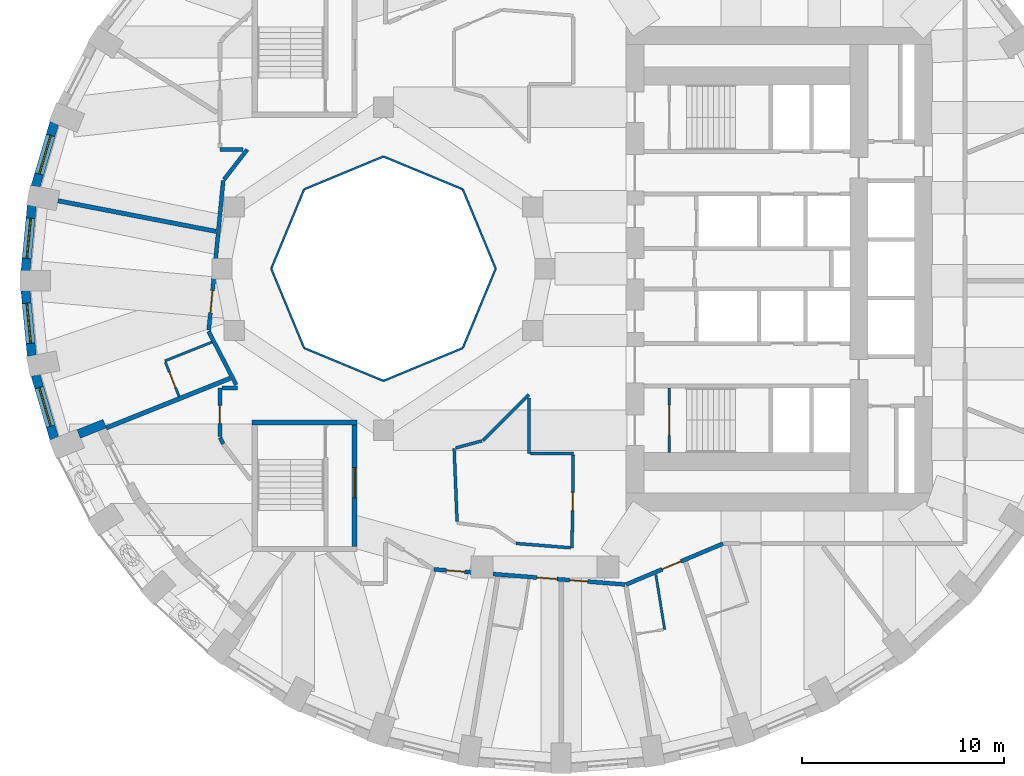
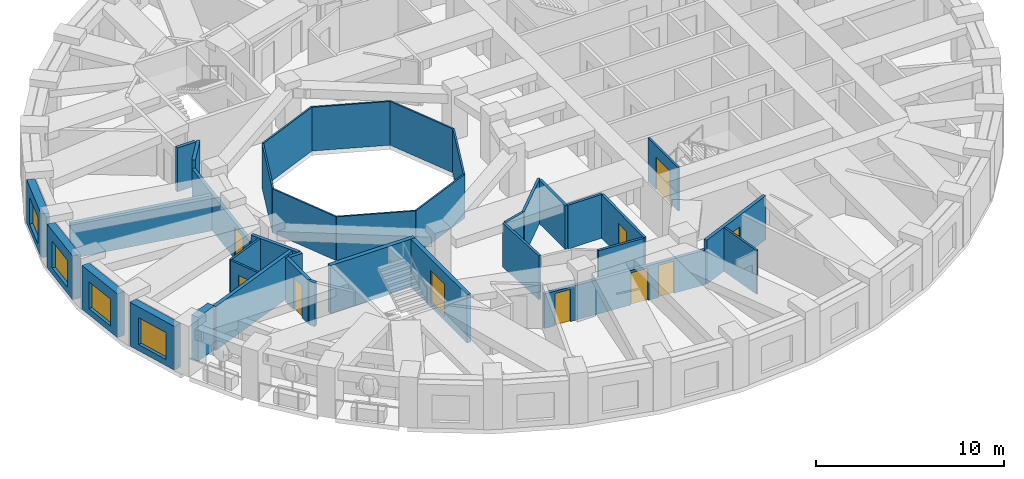
# One storey, part 4 of 12: 37 walls, 10 doors, 4 windows, 14 openings.
"""IFC4 building model written with IfcOpenShell, lengths in metres."""

from ifc_helpers import new_model, si_unit, direction, frame, frame_2d, origin, place, context, subcontext, project, spatial, rectangle, extrude, material, layer, layer_set, type_object, element, fill, save


model = new_model("IFC4")

# Units and contexts
model_context = context("Model", 3, precision=1e-05, world=origin(), true_north=direction((0.0, 1.0)))
body_context = subcontext(model_context, "Body", "Model", "MODEL_VIEW")
ifc_project = project(units=[si_unit("LENGTHUNIT", "METRE"), si_unit("AREAUNIT", "SQUARE_METRE"), si_unit("VOLUMEUNIT", "CUBIC_METRE"), si_unit("PLANEANGLEUNIT", "RADIAN"), si_unit("MASSUNIT", "GRAM", prefix="KILO")], contexts=[model_context])

# Site, building, storey
site_placement = place(None, origin())
site = spatial("IfcSite", under=ifc_project, at=site_placement, CompositionType="ELEMENT")
building_placement = place(site_placement, origin())
building = spatial("IfcBuilding", under=site, at=building_placement, Name="Taillehof Tower", CompositionType="ELEMENT")
storey_placement = place(building_placement, frame((0.0, 0.0, 131.800048828125)))
storey = spatial("IfcBuildingStorey", under=building, at=storey_placement, Name="L37", CompositionType="ELEMENT", Elevation=131.800048828125)

# Walls
ifc_material_1 = material(Name="Fire-resisting glass in steel frame", Category="steel")
ifc_layer_1 = layer(ifc_material_1, 0.10009765625)
ifc_layer_set_1 = layer_set([ifc_layer_1], Name="Atrium fire-resisting screen EI 60 100")
wall_type_1 = type_object("IfcWallType", Name="Atrium fire-resisting screen EI 60 100", PredefinedType="PARTITIONING", material=ifc_layer_set_1)
for number, where, z_axis, x_axis, name in (
    (1, (-2.44580078125, 0.0, 0.0), (0.0, 0.0, 1.0), (-0.382730523909, -0.923860025149, 0.0), "Atrium screen"),
    (2, (-4.07275390625, -3.92724609375, 0.0), (0.0, 0.0, 1.0), (-0.923860025149, -0.382730523909, 0.0), "Atrium screen"),
    (3, (-8.0, -5.55419921875, 0.0), (0.0, 0.0, 1.0), (-0.923860025149, 0.382730523909, 0.0), "Atrium screen"),
    (4, (-11.92724609375, -3.92724609375, 0.0), (0.0, 0.0, 1.0), (-0.382730523909, 0.923860025149, 0.0), "Atrium screen"),
    (5, (-13.55419921875, 0.0, 0.0), (0.0, 0.0, 1.0), (0.382730523909, 0.923860025149, 0.0), "Atrium screen"),
    (6, (-11.92724609375, 3.92724609375, 0.0), (0.0, 0.0, 1.0), (0.923860025149, 0.382730523909, 0.0), "Atrium screen"),
    (7, (-8.0, 5.55419921875, 0.0), (0.0, 0.0, 1.0), (0.923860025149, -0.382730523909, 0.0), "Atrium screen"),
    (8, (-4.07275390625, 3.92724609375, 0.0), (0.0, 0.0, 1.0), (0.382730523909, -0.923860025149, 0.0), "Atrium screen"),
):
    element("IfcWall", number, at=place(storey_placement, frame(where, z_axis=z_axis, x_axis=x_axis)), inside=storey, type_object=wall_type_1, Name=name, PredefinedType="PARTITIONING", context=body_context, shape_type="SweptSolid", body=[
        extrude(rectangle(XDim=4.2509765625, YDim=0.10009765625, at=frame_2d((2.12548828125, 0.0))), origin(), (0.0, 0.0, 1.0), 2.849853515625),
    ])

# Wall, opening, window
ifc_material_2 = material(Name="Brick masonry", Category="masonry")
ifc_layer_2 = layer(ifc_material_2, 0.449951171875)
ifc_layer_set_2 = layer_set([ifc_layer_2], Name="Brick infill wall 450")
wall_type_2 = type_object("IfcWallType", Name="Brick infill wall 450", PredefinedType="SOLIDWALL", material=ifc_layer_set_2)
wall_1_placement = place(storey_placement, frame((-24.302001953125, 7.220703125, 0.0), z_axis=(0.0, 0.0, 1.0), x_axis=(-0.283071248438, -0.959098883488, 0.0)))
wall_1 = element("IfcWall", 9, at=wall_1_placement, inside=storey, type_object=wall_type_2, Name="Brick wall L37 bay 17", PredefinedType="SOLIDWALL", context=body_context, shape_type="SweptSolid", body=[
    extrude(rectangle(XDim=3.2861328125, YDim=0.449951171875, at=frame_2d((1.64306640625, 0.0))), origin(), (0.0, 0.0, 1.0), 2.849853515625),
])
opening_1_placement = place(wall_1_placement, frame((0.64306640625, 0.0, 0.39990234375)))
opening_1 = element("IfcOpeningElement", 10, at=opening_1_placement, cuts=wall_1, Name="Opening W2", PredefinedType="OPENING", context=body_context, shape_type="SweptSolid", body=[
    extrude(rectangle(XDim=2.0, YDim=1.75, at=frame_2d((1.0, 0.875))), frame((0.0, 0.23486328125, 0.0), z_axis=(0.0, -1.0, 0.0), x_axis=(1.0, 0.0, 0.0)), (0.0, 0.0, 1.0), 0.469970703125),
])
ifc_material_3 = material(Name="Aluminium window frame with clear double glazing", Category="aluminium")
window_type = type_object("IfcWindowType", Name="Deep-set window 2000x1750", PartitioningType="SINGLE_PANEL", PredefinedType="WINDOW", material=ifc_material_3)
window_1_placement = place(opening_1_placement, origin())
window_1 = element("IfcWindow", 11, at=window_1_placement, inside=storey, type_object=window_type, Name="W2", OverallHeight=1.75, OverallWidth=2.0, PartitioningType="SINGLE_PANEL", PredefinedType="WINDOW", context=body_context, shape_type="SweptSolid", body=[
    extrude(rectangle(XDim=2.0, YDim=1.75, at=frame_2d((1.0, 0.875))), frame((0.0, 0.034912109375, 0.0), z_axis=(0.0, -1.0, 0.0), x_axis=(1.0, 0.0, 0.0)), (0.0, 0.0, 1.0), 0.06005859375),
])
fill(opening_1, window_1)

wall_2_placement = place(storey_placement, frame((-25.414794921875, 3.12646484375, 0.0), z_axis=(0.0, 0.0, 1.0), x_axis=(-0.095967726544, -0.995384446062, 0.0)))
wall_2 = element("IfcWall", 12, at=wall_2_placement, inside=storey, type_object=wall_type_2, Name="Brick wall L37 bay 18", PredefinedType="SOLIDWALL", context=body_context, shape_type="SweptSolid", body=[
    extrude(rectangle(XDim=3.261474609375, YDim=0.449951171875, at=frame_2d((1.630859375, 0.0))), origin(), (0.0, 0.0, 1.0), 2.849853515625),
])
opening_2_placement = place(wall_2_placement, frame((0.630615234375, 0.0, 0.39990234375)))
opening_2 = element("IfcOpeningElement", 13, at=opening_2_placement, cuts=wall_2, Name="Opening W2", PredefinedType="OPENING", context=body_context, shape_type="SweptSolid", body=[
    extrude(rectangle(XDim=2.0, YDim=1.75, at=frame_2d((1.0, 0.875))), frame((0.0, 0.23486328125, 0.0), z_axis=(0.0, -1.0, 0.0), x_axis=(1.0, 0.0, 0.0)), (0.0, 0.0, 1.0), 0.469970703125),
])
window_2_placement = place(opening_2_placement, origin())
window_2 = element("IfcWindow", 14, at=window_2_placement, inside=storey, type_object=window_type, Name="W2", OverallHeight=1.75, OverallWidth=2.0, PartitioningType="SINGLE_PANEL", PredefinedType="WINDOW", context=body_context, shape_type="SweptSolid", body=[
    extrude(rectangle(XDim=2.0, YDim=1.75, at=frame_2d((1.0, 0.875))), frame((0.0, 0.034912109375, 0.0), z_axis=(0.0, -1.0, 0.0), x_axis=(1.0, 0.0, 0.0)), (0.0, 0.0, 1.0), 0.06005859375),
])
fill(opening_2, window_2)

wall_3_placement = place(storey_placement, frame((-25.727783203125, -1.080078125, 0.0), z_axis=(0.0, 0.0, 1.0), x_axis=(0.095967726544, -0.995384446062, 0.0)))
wall_3 = element("IfcWall", 15, at=wall_3_placement, inside=storey, type_object=wall_type_2, Name="Brick wall L37 bay 19", PredefinedType="SOLIDWALL", context=body_context, shape_type="SweptSolid", body=[
    extrude(rectangle(XDim=3.261474609375, YDim=0.449951171875, at=frame_2d((1.630859375, 0.0))), origin(), (0.0, 0.0, 1.0), 2.849853515625),
])
opening_3_placement = place(wall_3_placement, frame((0.630615234375, 0.0, 0.39990234375)))
opening_3 = element("IfcOpeningElement", 16, at=opening_3_placement, cuts=wall_3, Name="Opening W2", PredefinedType="OPENING", context=body_context, shape_type="SweptSolid", body=[
    extrude(rectangle(XDim=2.0, YDim=1.75, at=frame_2d((1.0, 0.875))), frame((0.0, 0.23486328125, 0.0), z_axis=(0.0, -1.0, 0.0), x_axis=(1.0, 0.0, 0.0)), (0.0, 0.0, 1.0), 0.469970703125),
])
window_3_placement = place(opening_3_placement, origin())
window_3 = element("IfcWindow", 17, at=window_3_placement, inside=storey, type_object=window_type, Name="W2", OverallHeight=1.75, OverallWidth=2.0, PartitioningType="SINGLE_PANEL", PredefinedType="WINDOW", context=body_context, shape_type="SweptSolid", body=[
    extrude(rectangle(XDim=2.0, YDim=1.75, at=frame_2d((1.0, 0.875))), frame((0.0, 0.034912109375, 0.0), z_axis=(0.0, -1.0, 0.0), x_axis=(1.0, 0.0, 0.0)), (0.0, 0.0, 1.0), 0.06005859375),
])
fill(opening_3, window_3)

wall_4_placement = place(storey_placement, frame((-25.232177734375, -5.26904296875, 0.0), z_axis=(0.0, 0.0, 1.0), x_axis=(0.283051078697, -0.959104836214, 0.0)))
wall_4 = element("IfcWall", 18, at=wall_4_placement, inside=storey, type_object=wall_type_2, Name="Brick wall L37 bay 20", PredefinedType="SOLIDWALL", context=body_context, shape_type="SweptSolid", body=[
    extrude(rectangle(XDim=3.2861328125, YDim=0.449951171875, at=frame_2d((1.64306640625, 0.0))), origin(), (0.0, 0.0, 1.0), 2.849853515625),
])
opening_4_placement = place(wall_4_placement, frame((0.64306640625, 0.0, 0.39990234375)))
opening_4 = element("IfcOpeningElement", 19, at=opening_4_placement, cuts=wall_4, Name="Opening W2", PredefinedType="OPENING", context=body_context, shape_type="SweptSolid", body=[
    extrude(rectangle(XDim=2.0, YDim=1.75, at=frame_2d((1.0, 0.875))), frame((0.0, 0.23486328125, 0.0), z_axis=(0.0, -1.0, 0.0), x_axis=(1.0, 0.0, 0.0)), (0.0, 0.0, 1.0), 0.469970703125),
])
window_4_placement = place(opening_4_placement, origin())
window_4 = element("IfcWindow", 20, at=window_4_placement, inside=storey, type_object=window_type, Name="W2", OverallHeight=1.75, OverallWidth=2.0, PartitioningType="SINGLE_PANEL", PredefinedType="WINDOW", context=body_context, shape_type="SweptSolid", body=[
    extrude(rectangle(XDim=2.0, YDim=1.75, at=frame_2d((1.0, 0.875))), frame((0.0, 0.034912109375, 0.0), z_axis=(0.0, -1.0, 0.0), x_axis=(1.0, 0.0, 0.0)), (0.0, 0.0, 1.0), 0.06005859375),
])
fill(opening_4, window_4)

# Walls
wall_5_placement = place(storey_placement, frame((-23.09326171875, -8.18701171875, 0.0), z_axis=(0.0, 0.0, 1.0), x_axis=(0.928549333349, 0.371209018665, 0.0)))
element("IfcWall", 21, at=wall_5_placement, inside=storey, type_object=wall_type_2, Name="Brick reveal L37 pocket 6", PredefinedType="SOLIDWALL", context=body_context, shape_type="SweptSolid", body=[
    extrude(rectangle(XDim=1.390380859375, YDim=0.449951171875, at=frame_2d((0.6953125, 0.0))), origin(), (0.0, 0.0, 1.0), 2.849853515625),
])
ifc_material_4 = material(Name="Gypsum board on steel studs, two layers each side", Category="steel")
ifc_layer_3 = layer(ifc_material_4, 0.199951171875)
ifc_layer_set_3 = layer_set([ifc_layer_3], Name="Compartment wall corridor 200")
wall_type_3 = type_object("IfcWallType", Name="Compartment wall corridor 200", PredefinedType="PARTITIONING", material=ifc_layer_set_3)
wall_6_placement = place(storey_placement, frame((-15.937744140625, -8.67626953125, 0.0), z_axis=(0.0, 0.0, 1.0), x_axis=(-0.456525695549, 0.889710227717, 0.0)))
element("IfcWall", 22, at=wall_6_placement, inside=storey, type_object=wall_type_3, Name="Compartment wall", PredefinedType="PARTITIONING", context=body_context, shape_type="SweptSolid", body=[
    extrude(rectangle(XDim=0.355712890625, YDim=0.199951171875, at=frame_2d((0.177734375, 0.0))), origin(), (0.0, 0.0, 1.0), 2.849853515625),
])

# Wall, opening, door
wall_7_placement = place(storey_placement, frame((-16.10009765625, -8.31982421875, 0.0), z_axis=(0.0, 0.0, 1.0), x_axis=(0.0, 1.0, 0.0)))
wall_7 = element("IfcWall", 23, at=wall_7_placement, inside=storey, type_object=wall_type_3, Name="Compartment wall", PredefinedType="PARTITIONING", context=body_context, shape_type="SweptSolid", body=[
    extrude(rectangle(XDim=2.419921875, YDim=0.199951171875, at=frame_2d((1.2099609375, 0.0))), origin(), (0.0, 0.0, 1.0), 2.849853515625),
])
opening_5_placement = place(wall_7_placement, frame((0.65185546875, 0.0, 0.0)))
opening_5 = element("IfcOpeningElement", 24, at=opening_5_placement, cuts=wall_7, Name="Opening D3754", PredefinedType="OPENING", context=body_context, shape_type="SweptSolid", body=[
    extrude(rectangle(XDim=0.89990234375, YDim=2.10009765625, at=frame_2d((0.449951171875, 1.050048828125))), frame((0.0, 0.10986328125, 0.0), z_axis=(0.0, -1.0, 0.0), x_axis=(1.0, 0.0, 0.0)), (0.0, 0.0, 1.0), 0.219970703125),
])
ifc_material_5 = material(Name="Timber door leaf in steel frame", Category="steel")
door_type_1 = type_object("IfcDoorType", Name="Service room door EI 30 900 x 2100", OperationType="SINGLE_SWING_LEFT", PredefinedType="DOOR", material=ifc_material_5)
door_1_placement = place(opening_5_placement, origin())
door_1 = element("IfcDoor", 25, at=door_1_placement, inside=storey, type_object=door_type_1, Name="D3754", OperationType="SINGLE_SWING_LEFT", OverallHeight=2.10009765625, OverallWidth=0.89990234375, PredefinedType="DOOR", context=body_context, shape_type="SweptSolid", body=[
    extrude(rectangle(XDim=0.89990234375, YDim=2.10009765625, at=frame_2d((0.449951171875, 1.050048828125))), frame((0.0, 0.02490234375, 0.0), z_axis=(0.0, -1.0, 0.0), x_axis=(1.0, 0.0, 0.0)), (0.0, 0.0, 1.0), 0.050048828125),
])
fill(opening_5, door_1)

# Walls
wall_8_placement = place(storey_placement, frame((-16.0, -5.89990234375, 0.0), z_axis=(0.0, 0.0, 1.0), x_axis=(1.0, 0.0, 0.0)))
element("IfcWall", 26, at=wall_8_placement, inside=storey, type_object=wall_type_3, Name="Compartment wall", PredefinedType="PARTITIONING", context=body_context, shape_type="SweptSolid", body=[
    extrude(rectangle(XDim=0.78369140625, YDim=0.199951171875, at=frame_2d((0.391845703125, 0.0))), origin(), (0.0, 0.0, 1.0), 2.849853515625),
])
wall_9_placement = place(storey_placement, frame((-15.29052734375, -5.75732421875, 0.0), z_axis=(0.0, 0.0, 1.0), x_axis=(-0.45873256191, 0.888574384418, 0.0)))
element("IfcWall", 27, at=wall_9_placement, inside=storey, type_object=wall_type_3, Name="Compartment wall", PredefinedType="PARTITIONING", context=body_context, shape_type="SweptSolid", body=[
    extrude(rectangle(XDim=2.98291015625, YDim=0.199951171875, at=frame_2d((1.491455078125, 0.0))), origin(), (0.0, 0.0, 1.0), 2.849853515625),
])

# Wall, opening, door
wall_10_placement = place(storey_placement, frame((-16.653076171875, -3.046630859375, 0.0), z_axis=(0.0, 0.0, 1.0), x_axis=(0.096559879606, 0.995327177189, 0.0)))
wall_10 = element("IfcWall", 28, at=wall_10_placement, inside=storey, type_object=wall_type_3, Name="Compartment wall", PredefinedType="PARTITIONING", context=body_context, shape_type="SweptSolid", body=[
    extrude(rectangle(XDim=7.44873046875, YDim=0.199951171875, at=frame_2d((3.724365234375, 0.0))), origin(), (0.0, 0.0, 1.0), 2.349853515625),
])
opening_6_placement = place(wall_10_placement, frame((0.864013671875, 0.0, 0.0)))
opening_6 = element("IfcOpeningElement", 29, at=opening_6_placement, cuts=wall_10, Name="Opening D3752", PredefinedType="OPENING", context=body_context, shape_type="SweptSolid", body=[
    extrude(rectangle(XDim=1.10009765625, YDim=2.10009765625, at=frame_2d((0.550048828125, 1.050048828125))), frame((0.0, 0.10986328125, 0.0), z_axis=(0.0, -1.0, 0.0), x_axis=(1.0, 0.0, 0.0)), (0.0, 0.0, 1.0), 0.219970703125),
])
ifc_material_6 = material(Name="Timber door leaf in steel frame", Category="steel")
door_type_2 = type_object("IfcDoorType", Name="Suite entrance door EI 30 1100 x 2100", OperationType="SINGLE_SWING_LEFT", PredefinedType="DOOR", material=ifc_material_6)
door_2_placement = place(opening_6_placement, origin())
door_2 = element("IfcDoor", 30, at=door_2_placement, inside=storey, type_object=door_type_2, Name="D3752", OperationType="SINGLE_SWING_RIGHT", OverallHeight=2.10009765625, OverallWidth=1.10009765625, PredefinedType="DOOR", context=body_context, shape_type="SweptSolid", body=[
    extrude(rectangle(XDim=1.10009765625, YDim=2.10009765625, at=frame_2d((0.550048828125, 1.050048828125))), frame((0.0, 0.02490234375, 0.0), z_axis=(0.0, -1.0, 0.0), x_axis=(1.0, 0.0, 0.0)), (0.0, 0.0, 1.0), 0.050048828125),
])
fill(opening_6, door_2)

# Walls
wall_11_placement = place(storey_placement, frame((-15.897216796875, 4.414794921875, 0.0), z_axis=(0.0, 0.0, 1.0), x_axis=(0.612626457361, 0.790372585393, 0.0)))
element("IfcWall", 31, at=wall_11_placement, inside=storey, type_object=wall_type_3, Name="Compartment wall", PredefinedType="PARTITIONING", context=body_context, shape_type="SweptSolid", body=[
    extrude(rectangle(XDim=1.87890625, YDim=0.199951171875, at=frame_2d((0.939453125, 0.0))), origin(), (0.0, 0.0, 1.0), 2.849853515625),
])
wall_12_placement = place(storey_placement, frame((-14.9462890625, 5.89990234375, 0.0), z_axis=(0.0, 0.0, 1.0), x_axis=(-1.0, 0.0, 0.0)))
element("IfcWall", 32, at=wall_12_placement, inside=storey, type_object=wall_type_3, Name="Compartment wall", PredefinedType="PARTITIONING", context=body_context, shape_type="SweptSolid", body=[
    extrude(rectangle(XDim=1.15380859375, YDim=0.199951171875, at=frame_2d((0.576904296875, 0.0))), origin(), (0.0, 0.0, 1.0), 2.849853515625),
])

# Wall, opening, door
wall_13_placement = place(storey_placement, frame((8.81787109375, -13.61572265625, 0.0), z_axis=(0.0, 0.0, 1.0), x_axis=(-0.921304705085, -0.388841407759, 0.0)))
wall_13 = element("IfcWall", 33, at=wall_13_placement, inside=storey, type_object=wall_type_3, Name="Compartment wall", PredefinedType="PARTITIONING", context=body_context, shape_type="SweptSolid", body=[
    extrude(rectangle(XDim=5.217041015625, YDim=0.199951171875, at=frame_2d((2.6083984375, 0.0))), origin(), (0.0, 0.0, 1.0), 2.849853515625),
])
opening_7_placement = place(wall_13_placement, frame((2.266357421875, 0.0, 0.0)))
opening_7 = element("IfcOpeningElement", 34, at=opening_7_placement, cuts=wall_13, Name="Opening D3760", PredefinedType="OPENING", context=body_context, shape_type="SweptSolid", body=[
    extrude(rectangle(XDim=1.0, YDim=2.10009765625, at=frame_2d((0.5, 1.050048828125))), frame((0.0, 0.10986328125, 0.0), z_axis=(0.0, -1.0, 0.0), x_axis=(1.0, 0.0, 0.0)), (0.0, 0.0, 1.0), 0.219970703125),
])
ifc_material_7 = material(Name="Timber door leaf in steel frame", Category="steel")
door_type_3 = type_object("IfcDoorType", Name="Guest room door EI 30 1000 x 2100", OperationType="SINGLE_SWING_LEFT", PredefinedType="DOOR", material=ifc_material_7)
door_3_placement = place(opening_7_placement, origin())
door_3 = element("IfcDoor", 35, at=door_3_placement, inside=storey, type_object=door_type_3, Name="D3760", OperationType="SINGLE_SWING_LEFT", OverallHeight=2.10009765625, OverallWidth=1.0, PredefinedType="DOOR", context=body_context, shape_type="SweptSolid", body=[
    extrude(rectangle(XDim=1.0, YDim=2.10009765625, at=frame_2d((0.5, 1.050048828125))), frame((0.0, 0.02490234375, 0.0), z_axis=(0.0, -1.0, 0.0), x_axis=(1.0, 0.0, 0.0)), (0.0, 0.0, 1.0), 0.050048828125),
])
fill(opening_7, door_3)

# Wall, openings, doors
wall_14_placement = place(storey_placement, frame((3.971435546875, -15.641357421875, 0.0), z_axis=(0.0, 0.0, 1.0), x_axis=(-0.996873811728, 0.079010148026, 0.0)))
wall_14 = element("IfcWall", 36, at=wall_14_placement, inside=storey, type_object=wall_type_3, Name="Compartment wall", PredefinedType="PARTITIONING", context=body_context, shape_type="SweptSolid", body=[
    extrude(rectangle(XDim=9.5048828125, YDim=0.199951171875, at=frame_2d((4.75244140625, 0.0))), origin(), (0.0, 0.0, 1.0), 2.25),
])
opening_8_placement = place(wall_14_placement, frame((7.971435546875, 0.0, 0.0)))
opening_8 = element("IfcOpeningElement", 37, at=opening_8_placement, cuts=wall_14, Name="Opening D3756", PredefinedType="OPENING", context=body_context, shape_type="SweptSolid", body=[
    extrude(rectangle(XDim=0.89990234375, YDim=2.10009765625, at=frame_2d((0.449951171875, 1.050048828125))), frame((0.0, 0.10986328125, 0.0), z_axis=(0.0, -1.0, 0.0), x_axis=(1.0, 0.0, 0.0)), (0.0, 0.0, 1.0), 0.219970703125),
])
opening_9_placement = place(wall_14_placement, frame((3.391357421875, 0.0, 0.0)))
opening_9 = element("IfcOpeningElement", 38, at=opening_9_placement, cuts=wall_14, Name="Opening D3757", PredefinedType="OPENING", context=body_context, shape_type="SweptSolid", body=[
    extrude(rectangle(XDim=1.0, YDim=2.10009765625, at=frame_2d((0.5, 1.050048828125))), frame((0.0, 0.10986328125, 0.0), z_axis=(0.0, -1.0, 0.0), x_axis=(1.0, 0.0, 0.0)), (0.0, 0.0, 1.0), 0.219970703125),
])
opening_10_placement = place(wall_14_placement, frame((1.86572265625, 0.0, 0.0)))
opening_10 = element("IfcOpeningElement", 39, at=opening_10_placement, cuts=wall_14, Name="Opening D3759", PredefinedType="OPENING", context=body_context, shape_type="SweptSolid", body=[
    extrude(rectangle(XDim=0.89990234375, YDim=2.10009765625, at=frame_2d((0.449951171875, 1.050048828125))), frame((0.0, 0.10986328125, 0.0), z_axis=(0.0, -1.0, 0.0), x_axis=(1.0, 0.0, 0.0)), (0.0, 0.0, 1.0), 0.219970703125),
])
door_4_placement = place(opening_9_placement, origin())
door_4 = element("IfcDoor", 40, at=door_4_placement, inside=storey, type_object=door_type_3, Name="D3757", OperationType="SINGLE_SWING_LEFT", OverallHeight=2.10009765625, OverallWidth=1.0, PredefinedType="DOOR", context=body_context, shape_type="SweptSolid", body=[
    extrude(rectangle(XDim=1.0, YDim=2.10009765625, at=frame_2d((0.5, 1.050048828125))), frame((0.0, 0.02490234375, 0.0), z_axis=(0.0, -1.0, 0.0), x_axis=(1.0, 0.0, 0.0)), (0.0, 0.0, 1.0), 0.050048828125),
])
fill(opening_9, door_4)
door_5_placement = place(opening_8_placement, origin())
door_5 = element("IfcDoor", 41, at=door_5_placement, inside=storey, type_object=door_type_1, Name="D3756", OperationType="SINGLE_SWING_RIGHT", OverallHeight=2.10009765625, OverallWidth=0.89990234375, PredefinedType="DOOR", context=body_context, shape_type="SweptSolid", body=[
    extrude(rectangle(XDim=0.89990234375, YDim=2.10009765625, at=frame_2d((0.449951171875, 1.050048828125))), frame((0.0, 0.02490234375, 0.0), z_axis=(0.0, -1.0, 0.0), x_axis=(1.0, 0.0, 0.0)), (0.0, 0.0, 1.0), 0.050048828125),
])
fill(opening_8, door_5)
door_6_placement = place(opening_10_placement, origin())
door_6 = element("IfcDoor", 42, at=door_6_placement, inside=storey, type_object=door_type_1, Name="D3759", OperationType="SINGLE_SWING_RIGHT", OverallHeight=2.10009765625, OverallWidth=0.89990234375, PredefinedType="DOOR", context=body_context, shape_type="SweptSolid", body=[
    extrude(rectangle(XDim=0.89990234375, YDim=2.10009765625, at=frame_2d((0.449951171875, 1.050048828125))), frame((0.0, 0.02490234375, 0.0), z_axis=(0.0, -1.0, 0.0), x_axis=(1.0, 0.0, 0.0)), (0.0, 0.0, 1.0), 0.050048828125),
])
fill(opening_10, door_6)

# Walls
ifc_material_8 = material(Name="Gypsum board on double steel studs with mineral wool", Category="steel")
ifc_layer_4 = layer(ifc_material_8, 0.219970703125)
ifc_layer_set_4 = layer_set([ifc_layer_4], Name="Compartment wall guest room 220")
wall_type_4 = type_object("IfcWallType", Name="Compartment wall guest room 220", PredefinedType="PARTITIONING", material=ifc_layer_set_4)
wall_15_placement = place(storey_placement, frame((-24.117919921875, 3.3642578125, 0.0), z_axis=(0.0, 0.0, 1.0), x_axis=(0.981757892546, -0.190135321348, 0.0)))
element("IfcWall", 43, at=wall_15_placement, inside=storey, type_object=wall_type_4, Name="Compartment wall", PredefinedType="PARTITIONING", context=body_context, shape_type="SweptSolid", body=[
    extrude(rectangle(XDim=7.96484375, YDim=0.219970703125, at=frame_2d((3.982421875, 0.0))), origin(), (0.0, 0.0, 1.0), 2.300048828125),
])
wall_16_placement = place(storey_placement, frame((-21.735595703125, -7.88671875, 0.0), z_axis=(0.0, 0.0, 1.0), x_axis=(0.928547942842, 0.371212496884, 0.0)))
element("IfcWall", 44, at=wall_16_placement, inside=storey, type_object=wall_type_4, Name="Compartment wall", PredefinedType="PARTITIONING", context=body_context, shape_type="SweptSolid", body=[
    extrude(rectangle(XDim=6.614990234375, YDim=0.219970703125, at=frame_2d((3.3076171875, 0.0))), origin(), (0.0, 0.0, 1.0), 2.849853515625),
])
ifc_material_9 = material(Name="Gypsum board on steel studs, two layers each side", Category="steel")
ifc_layer_5 = layer(ifc_material_9, 0.14990234375)
ifc_layer_set_5 = layer_set([ifc_layer_5], Name="Compartment wall service room 150")
wall_type_5 = type_object("IfcWallType", Name="Compartment wall service room 150", PredefinedType="PARTITIONING", material=ifc_layer_set_5)
wall_17_placement = place(storey_placement, frame((-3.08251953125, -8.517578125, 0.0), z_axis=(0.0, 0.0, 1.0), x_axis=(0.707106781187, 0.707106781187, 0.0)))
element("IfcWall", 45, at=wall_17_placement, inside=storey, type_object=wall_type_5, Name="Compartment wall", PredefinedType="PARTITIONING", context=body_context, shape_type="SweptSolid", body=[
    extrude(rectangle(XDim=3.227783203125, YDim=0.14990234375, at=frame_2d((1.61376953125, 0.0))), origin(), (0.0, 0.0, 1.0), 2.849853515625),
])
wall_18_placement = place(storey_placement, frame((-0.800048828125, -6.415283203125, 0.0), z_axis=(0.0, 0.0, 1.0), x_axis=(0.0, -1.0, 0.0)))
element("IfcWall", 46, at=wall_18_placement, inside=storey, type_object=wall_type_5, Name="Compartment wall", PredefinedType="PARTITIONING", context=body_context, shape_type="SweptSolid", body=[
    extrude(rectangle(XDim=2.734619140625, YDim=0.14990234375, at=frame_2d((1.3671875, 0.0))), origin(), (0.0, 0.0, 1.0), 2.849853515625),
])
wall_19_placement = place(storey_placement, frame((-0.719970703125, -9.14990234375, 0.0), z_axis=(0.0, 0.0, 1.0), x_axis=(1.0, 0.0, 0.0)))
element("IfcWall", 47, at=wall_19_placement, inside=storey, type_object=wall_type_5, Name="Compartment wall", PredefinedType="PARTITIONING", context=body_context, shape_type="SweptSolid", body=[
    extrude(rectangle(XDim=2.119873046875, YDim=0.14990234375, at=frame_2d((1.06005859375, 0.0))), origin(), (0.0, 0.0, 1.0), 2.849853515625),
])

# Wall, opening, door
wall_20_placement = place(storey_placement, frame((1.39892578125, -9.22998046875, 0.0), z_axis=(0.0, 0.0, 1.0), x_axis=(-0.013008669764, -0.999915383676, 0.0)))
wall_20 = element("IfcWall", 48, at=wall_20_placement, inside=storey, type_object=wall_type_5, Name="Compartment wall", PredefinedType="PARTITIONING", context=body_context, shape_type="SweptSolid", body=[
    extrude(rectangle(XDim=4.59814453125, YDim=0.14990234375, at=frame_2d((2.299072265625, 0.0))), origin(), (0.0, 0.0, 1.0), 2.849853515625),
])
opening_11_placement = place(wall_20_placement, frame((1.84912109375, 0.0, 0.0)))
opening_11 = element("IfcOpeningElement", 49, at=opening_11_placement, cuts=wall_20, Name="Opening D3769", PredefinedType="OPENING", context=body_context, shape_type="SweptSolid", body=[
    extrude(rectangle(XDim=0.89990234375, YDim=2.10009765625, at=frame_2d((0.449951171875, 1.050048828125))), frame((0.0, 0.0849609375, 0.0), z_axis=(0.0, -1.0, 0.0), x_axis=(1.0, 0.0, 0.0)), (0.0, 0.0, 1.0), 0.169921875),
])
door_7_placement = place(opening_11_placement, origin())
door_7 = element("IfcDoor", 50, at=door_7_placement, inside=storey, type_object=door_type_1, Name="D3769", OperationType="SINGLE_SWING_LEFT", OverallHeight=2.10009765625, OverallWidth=0.89990234375, PredefinedType="DOOR", context=body_context, shape_type="SweptSolid", body=[
    extrude(rectangle(XDim=0.89990234375, YDim=2.10009765625, at=frame_2d((0.449951171875, 1.050048828125))), frame((0.0, 0.02490234375, 0.0), z_axis=(0.0, -1.0, 0.0), x_axis=(1.0, 0.0, 0.0)), (0.0, 0.0, 1.0), 0.050048828125),
])
fill(opening_11, door_7)

# Walls
wall_21_placement = place(storey_placement, frame((1.259033203125, -13.82177734375, 0.0), z_axis=(0.0, 0.0, 1.0), x_axis=(-0.996859157686, 0.079194821407, 0.0)))
element("IfcWall", 51, at=wall_21_placement, inside=storey, type_object=wall_type_5, Name="Compartment wall", PredefinedType="PARTITIONING", context=body_context, shape_type="SweptSolid", body=[
    extrude(rectangle(XDim=2.697509765625, YDim=0.14990234375, at=frame_2d((1.3486328125, 0.0))), origin(), (0.0, 0.0, 1.0), 2.849853515625),
])
wall_22_placement = place(storey_placement, frame((-4.35498046875, -12.513427734375, 0.0), z_axis=(0.0, 0.0, 1.0), x_axis=(-0.040070411422, 0.999196858546, 0.0)))
element("IfcWall", 52, at=wall_22_placement, inside=storey, type_object=wall_type_5, Name="Compartment wall", PredefinedType="PARTITIONING", context=body_context, shape_type="SweptSolid", body=[
    extrude(rectangle(XDim=3.619140625, YDim=0.14990234375, at=frame_2d((1.8095703125, 0.0))), origin(), (0.0, 0.0, 1.0), 2.849853515625),
])
wall_23_placement = place(storey_placement, frame((-4.4228515625, -8.876708984375, 0.0), z_axis=(0.0, 0.0, 1.0), x_axis=(0.965912469164, 0.258868889429, 0.0)))
element("IfcWall", 53, at=wall_23_placement, inside=storey, type_object=wall_type_5, Name="Compartment wall", PredefinedType="PARTITIONING", context=body_context, shape_type="SweptSolid", body=[
    extrude(rectangle(XDim=1.34765625, YDim=0.14990234375, at=frame_2d((0.673828125, 0.0))), origin(), (0.0, 0.0, 1.0), 2.849853515625),
])
ifc_material_10 = material(Name="Gypsum board on steel studs, moisture resistant", Category="steel")
ifc_layer_6 = layer(ifc_material_10, 0.1201171875)
ifc_layer_set_6 = layer_set([ifc_layer_6], Name="En-suite wall 120")
wall_type_6 = type_object("IfcWallType", Name="En-suite wall 120", PredefinedType="PARTITIONING", material=ifc_layer_set_6)
wall_24_placement = place(storey_placement, frame((-16.496826171875, -3.638427734375, 0.0), z_axis=(0.0, 0.0, 1.0), x_axis=(-0.92857071808, -0.371155522019, 0.0)))
element("IfcWall", 54, at=wall_24_placement, inside=storey, type_object=wall_type_6, Name="En-suite wall", PredefinedType="PARTITIONING", context=body_context, shape_type="SweptSolid", body=[
    extrude(rectangle(XDim=2.506103515625, YDim=0.1201171875, at=frame_2d((1.2529296875, 0.0))), origin(), (0.0, 0.0, 1.0), 2.849853515625),
])
wall_25_placement = place(storey_placement, frame((5.490234375, -15.14990234375, 0.0), z_axis=(0.0, 0.0, 1.0), x_axis=(0.158495805849, -0.987359650547, 0.0)))
element("IfcWall", 55, at=wall_25_placement, inside=storey, type_object=wall_type_6, Name="En-suite wall", PredefinedType="PARTITIONING", context=body_context, shape_type="SweptSolid", body=[
    extrude(rectangle(XDim=2.7509765625, YDim=0.1201171875, at=frame_2d((1.37548828125, 0.0))), origin(), (0.0, 0.0, 1.0), 2.849853515625),
])

# Wall, opening, door
wall_26_placement = place(storey_placement, frame((-18.8017578125, -4.624267578125, 0.0), z_axis=(0.0, 0.0, 1.0), x_axis=(0.371229680537, -0.928541073022, 0.0)))
wall_26 = element("IfcWall", 56, at=wall_26_placement, inside=storey, type_object=wall_type_6, Name="En-suite wall", PredefinedType="PARTITIONING", context=body_context, shape_type="SweptSolid", body=[
    extrude(rectangle(XDim=1.830322265625, YDim=0.1201171875, at=frame_2d((0.9150390625, 0.0))), origin(), (0.0, 0.0, 1.0), 2.849853515625),
])
opening_12_placement = place(wall_26_placement, frame((0.540283203125, 0.0, 0.0)))
opening_12 = element("IfcOpeningElement", 57, at=opening_12_placement, cuts=wall_26, Name="Opening D3753", PredefinedType="OPENING", context=body_context, shape_type="SweptSolid", body=[
    extrude(rectangle(XDim=0.800048828125, YDim=2.10009765625, at=frame_2d((0.39990234375, 1.050048828125))), frame((0.0, 0.070068359375, 0.0), z_axis=(0.0, -1.0, 0.0), x_axis=(1.0, 0.0, 0.0)), (0.0, 0.0, 1.0), 0.14013671875),
])
ifc_material_11 = material(Name="Timber door leaf in steel frame", Category="steel")
door_type_4 = type_object("IfcDoorType", Name="En-suite door 800 x 2100", OperationType="SINGLE_SWING_LEFT", PredefinedType="DOOR", material=ifc_material_11)
door_8_placement = place(opening_12_placement, origin())
door_8 = element("IfcDoor", 58, at=door_8_placement, inside=storey, type_object=door_type_4, Name="D3753", OperationType="SINGLE_SWING_LEFT", OverallHeight=2.10009765625, OverallWidth=0.800048828125, PredefinedType="DOOR", context=body_context, shape_type="SweptSolid", body=[
    extrude(rectangle(XDim=0.800048828125, YDim=2.10009765625, at=frame_2d((0.39990234375, 1.050048828125))), frame((0.0, 0.02490234375, 0.0), z_axis=(0.0, -1.0, 0.0), x_axis=(1.0, 0.0, 0.0)), (0.0, 0.0, 1.0), 0.050048828125),
])
fill(opening_12, door_8)

ifc_material_12 = material(Name="Concrete C50/60", Category="concrete")
ifc_layer_7 = layer(ifc_material_12, 0.1201171875)
ifc_layer_set_7 = layer_set([ifc_layer_7], Name="Stair lobby wall C50/60 120")
wall_type_7 = type_object("IfcWallType", Name="Stair lobby wall C50/60 120", PredefinedType="SHEAR", material=ifc_layer_set_7)
wall_27_placement = place(storey_placement, frame((6.159912109375, -9.10009765625, 0.0), z_axis=(0.0, 0.0, 1.0), x_axis=(0.0, 1.0, 0.0)))
wall_27 = element("IfcWall", 59, at=wall_27_placement, inside=storey, type_object=wall_type_7, Name="Compartment wall SW", PredefinedType="SHEAR", context=body_context, shape_type="SweptSolid", body=[
    extrude(rectangle(XDim=3.2001953125, YDim=0.1201171875, at=frame_2d((1.60009765625, 0.0))), origin(), (0.0, 0.0, 1.0), 2.849853515625),
])
opening_13_placement = place(wall_27_placement, frame((0.85009765625, 0.0, 0.0)))
opening_13 = element("IfcOpeningElement", 60, at=opening_13_placement, cuts=wall_27, Name="Opening D3711", PredefinedType="OPENING", context=body_context, shape_type="SweptSolid", body=[
    extrude(rectangle(XDim=1.5, YDim=2.10009765625, at=frame_2d((0.75, 1.050048828125))), frame((0.0, 0.070068359375, 0.0), z_axis=(0.0, -1.0, 0.0), x_axis=(1.0, 0.0, 0.0)), (0.0, 0.0, 1.0), 0.14013671875),
])
ifc_material_13 = material(Name="Steel-faced fire door", Category="steel")
door_type_5 = type_object("IfcDoorType", Name="Stair door 1500x2100", OperationType="DOUBLE_DOOR_SINGLE_SWING", PredefinedType="DOOR", material=ifc_material_13)
door_9_placement = place(opening_13_placement, origin())
door_9 = element("IfcDoor", 61, at=door_9_placement, inside=storey, type_object=door_type_5, Name="Stair lobby door S2", OperationType="DOUBLE_DOOR_SINGLE_SWING", OverallHeight=2.10009765625, OverallWidth=1.5, PredefinedType="DOOR", context=body_context, shape_type="SweptSolid", body=[
    extrude(rectangle(XDim=1.5, YDim=2.10009765625, at=frame_2d((0.75, 1.050048828125))), frame((0.0, 0.02490234375, 0.0), z_axis=(0.0, -1.0, 0.0), x_axis=(1.0, 0.0, 0.0)), (0.0, 0.0, 1.0), 0.050048828125),
])
fill(opening_13, door_9)

ifc_material_14 = material(Name="Concrete C50/60", Category="concrete")
ifc_layer_8 = layer(ifc_material_14, 0.25)
ifc_layer_set_8 = layer_set([ifc_layer_8], Name="Stair wall C50/60 250")
wall_type_8 = type_object("IfcWallType", Name="Stair wall C50/60 250", PredefinedType="SHEAR", material=ifc_layer_set_8)
wall_28_placement = place(storey_placement, frame((-9.425048828125, -13.75, -0.280029296875), z_axis=(0.0, 0.0, 1.0), x_axis=(0.0, 1.0, 0.0)))
wall_28 = element("IfcWall", 62, at=wall_28_placement, inside=storey, type_object=wall_type_8, Name="Stair wall SC", PredefinedType="SHEAR", context=body_context, shape_type="SweptSolid", body=[
    extrude(rectangle(XDim=6.0, YDim=0.25, at=frame_2d((3.0, 0.0))), origin(), (0.0, 0.0, 1.0), 3.1298828125),
])
opening_14_placement = place(wall_28_placement, frame((2.39990234375, 0.0, 0.280029296875)))
opening_14 = element("IfcOpeningElement", 63, at=opening_14_placement, cuts=wall_28, Name="Opening D3720", PredefinedType="OPENING", context=body_context, shape_type="SweptSolid", body=[
    extrude(rectangle(XDim=1.5, YDim=2.10009765625, at=frame_2d((0.75, 1.050048828125))), frame((0.0, 0.135009765625, 0.0), z_axis=(0.0, -1.0, 0.0), x_axis=(1.0, 0.0, 0.0)), (0.0, 0.0, 1.0), 0.27001953125),
])
door_10_placement = place(opening_14_placement, origin())
door_10 = element("IfcDoor", 64, at=door_10_placement, inside=storey, type_object=door_type_5, Name="Stair door S4", OperationType="DOUBLE_DOOR_SINGLE_SWING", OverallHeight=2.10009765625, OverallWidth=1.5, PredefinedType="DOOR", context=body_context, shape_type="SweptSolid", body=[
    extrude(rectangle(XDim=1.5, YDim=2.10009765625, at=frame_2d((0.75, 1.050048828125))), frame((0.0, 0.02490234375, 0.0), z_axis=(0.0, -1.0, 0.0), x_axis=(1.0, 0.0, 0.0)), (0.0, 0.0, 1.0), 0.050048828125),
])
fill(opening_14, door_10)

# Wall
wall_29_placement = place(storey_placement, frame((-14.5, -7.625, -0.280029296875), z_axis=(0.0, 0.0, 1.0), x_axis=(1.0, 0.0, 0.0)))
element("IfcWall", 65, at=wall_29_placement, inside=storey, type_object=wall_type_8, Name="Stair wall SC", PredefinedType="SHEAR", context=body_context, shape_type="SweptSolid", body=[
    extrude(rectangle(XDim=5.199951171875, YDim=0.25, at=frame_2d((2.60009765625, 0.0))), origin(), (0.0, 0.0, 1.0), 3.1298828125),
])

save(model, "model.ifc")
